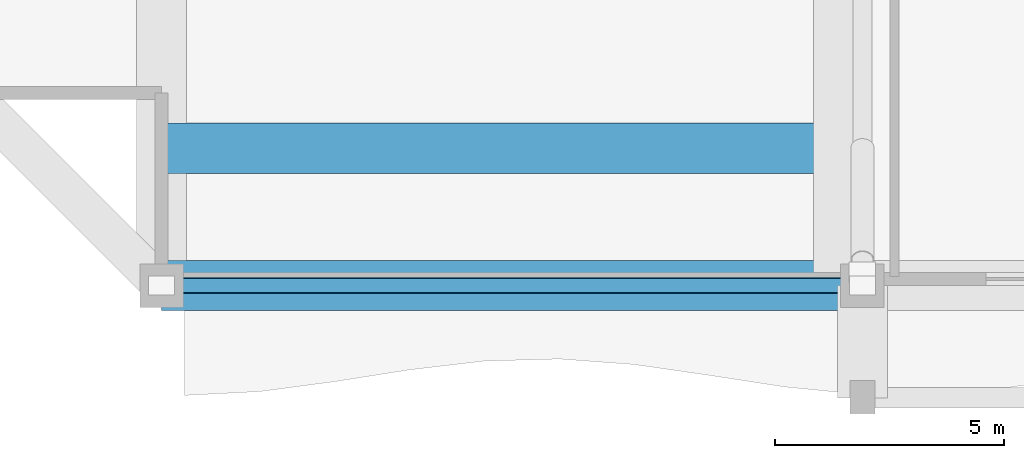
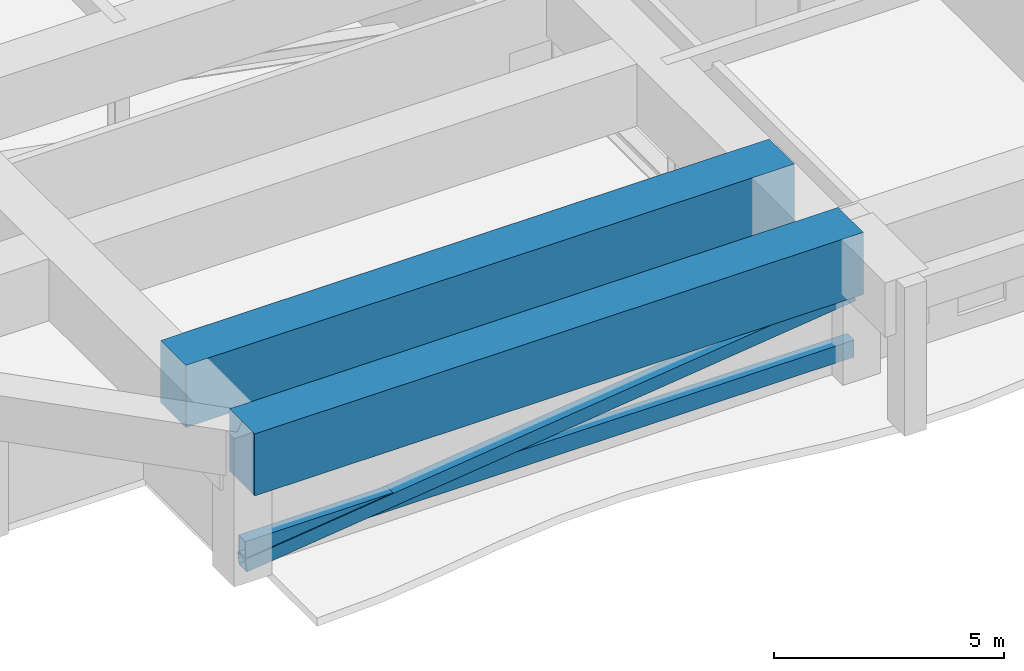
# One storey, part 3 of 35: 2 beams, 2 members.
"""IFC4 building model written with IfcOpenShell, lengths in metres."""

import ifcopenshell
import ifcopenshell.guid

model = None  # the IFC model being written
_history = None  # IfcOwnerHistory: only IFC2X3 demands one
_inside = {}  # id of a spatial element -> (the spatial element, [elements in it])
_under = {}  # id of a project, library or spatial element -> (it, [spatial elements below it])
_declared = {}  # id of a project -> (the project, [libraries it declares])
_typed = {}  # id of a type object -> (the type object, [elements of that type])
_made_of = {}  # id of a material, layer set ... -> (it, [elements and type objects made of it])


def new_model(schema):
    """Start an empty IFC model of exactly this schema.

    Asked for "IFC4X3", IfcOpenShell would pick the latest addendum, in which some entities
    have other attributes; the version numbers below select the first issue.
    IFC2X3 requires an IfcOwnerHistory on every rooted entity: one is made here for all.
    """
    global model, _history
    if schema == "IFC4X3":
        model = ifcopenshell.file(schema_version=(4, 3, 0, 0))
    else:
        model = ifcopenshell.file(schema=schema)
    _inside.clear()
    _under.clear()
    _declared.clear()
    _typed.clear()
    _made_of.clear()
    _history = None
    if model.schema == "IFC2X3":
        org = make("IfcOrganization", Name="unknown")
        user = make(
            "IfcPersonAndOrganization",
            ThePerson=make("IfcPerson", FamilyName="unknown"),
            TheOrganization=org,
        )
        app = make(
            "IfcApplication",
            ApplicationDeveloper=org,
            Version="unknown",
            ApplicationFullName="unknown",
            ApplicationIdentifier="unknown",
        )
        _history = make(
            "IfcOwnerHistory",
            OwningUser=user,
            OwningApplication=app,
            ChangeAction="ADDED",
            CreationDate=0,
        )
    return model


def make(cls, **values):
    """One entity of the class cls with the attributes given. An attribute that is None is left unset."""
    return model.create_entity(
        cls, **{name: value for name, value in values.items() if value is not None}
    )


def rooted(cls, **values):
    """An entity with a GlobalId (a new one), such as an element, a storey or a relation."""
    return make(cls, GlobalId=ifcopenshell.guid.new(), OwnerHistory=_history, **values)


def si_unit(unit_type, name, prefix=None):
    """IfcSIUnit, for example si_unit("LENGTHUNIT", "METRE", prefix="MILLI")."""
    return make("IfcSIUnit", UnitType=unit_type, Prefix=prefix, Name=name)


def assignment(units):
    """IfcUnitAssignment: the units of a project."""
    return None if units is None else make("IfcUnitAssignment", Units=units)


def point(xyz):
    """IfcCartesianPoint."""
    return None if xyz is None else make("IfcCartesianPoint", Coordinates=xyz)


def direction(xyz):
    """IfcDirection."""
    return None if xyz is None else make("IfcDirection", DirectionRatios=xyz)


def frame(location, z_axis=None, x_axis=None):
    """IfcAxis2Placement3D, a coordinate frame: its origin and axes. An axis left out is left unset."""
    return make(
        "IfcAxis2Placement3D",
        Location=point(location),
        Axis=direction(z_axis),
        RefDirection=direction(x_axis),
    )


def frame_2d(location, x_axis=None):
    """IfcAxis2Placement2D, a coordinate frame in the plane: its origin and x axis."""
    return make(
        "IfcAxis2Placement2D", Location=point(location), RefDirection=direction(x_axis)
    )


def origin():
    """The frame at (0, 0, 0) with its axes left unset."""
    return frame((0.0, 0.0, 0.0))


def origin_2d():
    """The frame at (0, 0) in the plane with its x axis left unset."""
    return frame_2d((0.0, 0.0))


def place(relative_to, where):
    """IfcLocalPlacement: puts the frame where relative to a parent placement (None: the world)."""
    return make(
        "IfcLocalPlacement", PlacementRelTo=relative_to, RelativePlacement=where
    )


def context(
    kind, dimensions, precision=None, world=None, true_north=None, identifier=None
):
    """IfcGeometricRepresentationContext, for example the 3D "Model" context."""
    return make(
        "IfcGeometricRepresentationContext",
        ContextIdentifier=identifier,
        ContextType=kind,
        CoordinateSpaceDimension=dimensions,
        Precision=precision,
        WorldCoordinateSystem=world,
        TrueNorth=true_north,
    )


def subcontext(parent, identifier, kind, view, scale=None):
    """IfcGeometricRepresentationSubContext, for example "Body" below "Model"."""
    return make(
        "IfcGeometricRepresentationSubContext",
        ContextIdentifier=identifier,
        ContextType=kind,
        ParentContext=parent,
        TargetScale=scale,
        TargetView=view,
    )


def project(units=None, contexts=None):
    """IfcProject with its units and contexts."""
    return rooted(
        "IfcProject",
        Name="project",
        RepresentationContexts=contexts,
        UnitsInContext=assignment(units),
    )


def spatial(cls, under=None, at=None, **own):
    """A site, building, storey or space (cls), placed at a placement, below another one or the project."""
    s = rooted(cls, ObjectPlacement=at, **own)
    if under is not None:
        _under.setdefault(under.id(), (under, []))[1].append(s)
    return s


def profile(cls, at=None, kind="AREA", **sizes):
    """A parametric profile (cls). Its sizes go by their IFC names, for example OverallWidth=200.0."""
    return make(cls, ProfileType=kind, Position=at, **sizes)


def rectangle(**sizes):
    """IfcRectangleProfileDef."""
    return profile("IfcRectangleProfileDef", **sizes)


def hollow_rectangle(**sizes):
    """IfcRectangleHollowProfileDef."""
    return profile("IfcRectangleHollowProfileDef", **sizes)


def extrude(swept, where, along, depth):
    """IfcExtrudedAreaSolid: the profile swept, set in the frame where, extruded along a direction by depth."""
    return make(
        "IfcExtrudedAreaSolid",
        SweptArea=swept,
        Position=where,
        ExtrudedDirection=direction(along),
        Depth=depth,
    )


def shape(context_of_items, identifier, shape_type, items):
    """IfcShapeRepresentation: the items that make up one representation, for example the "Body"."""
    return make(
        "IfcShapeRepresentation",
        ContextOfItems=context_of_items,
        RepresentationIdentifier=identifier,
        RepresentationType=shape_type,
        Items=items,
    )


def source(mapping_origin, context_of_items, identifier, shape_type, items):
    """IfcRepresentationMap: a shape defined once, which mapped items show again and again."""
    return make(
        "IfcRepresentationMap",
        MappingOrigin=mapping_origin,
        MappedRepresentation=shape(context_of_items, identifier, shape_type, items),
    )


def transform(
    local_origin,
    x_axis=None,
    y_axis=None,
    z_axis=None,
    scale=None,
    scale2=None,
    scale3=None,
    uniform=True,
):
    """IfcCartesianTransformationOperator3D, or its non-uniform kind. x_axis, y_axis, z_axis: its Axis1, 2, 3."""
    if uniform:
        return make(
            "IfcCartesianTransformationOperator3D",
            Axis1=direction(x_axis),
            Axis2=direction(y_axis),
            LocalOrigin=point(local_origin),
            Scale=scale,
            Axis3=direction(z_axis),
        )
    return make(
        "IfcCartesianTransformationOperator3DnonUniform",
        Axis1=direction(x_axis),
        Axis2=direction(y_axis),
        LocalOrigin=point(local_origin),
        Scale=scale,
        Axis3=direction(z_axis),
        Scale2=scale2,
        Scale3=scale3,
    )


def mapped(mapping_source, mapping_target):
    """IfcMappedItem: shows the shape of a source again, moved by a transform."""
    return make(
        "IfcMappedItem", MappingSource=mapping_source, MappingTarget=mapping_target
    )


def material(Name=None, Category=None):
    """IfcMaterial."""
    return make("IfcMaterial", Name=Name, Category=Category)


def material_profile(
    of_material, cross_section, Name=None, Category=None, Priority=None
):
    """IfcMaterialProfile: a cross section and its material."""
    return make(
        "IfcMaterialProfile",
        Name=Name,
        Material=of_material,
        Profile=cross_section,
        Priority=Priority,
        Category=Category,
    )


def profile_set(profiles, Name=None, composite=None):
    """IfcMaterialProfileSet."""
    return make(
        "IfcMaterialProfileSet",
        Name=Name,
        MaterialProfiles=profiles,
        CompositeProfile=composite,
    )


def made_of(thing, what):
    """Note that an element or type object is made of a material, layer set ...; save() writes the relation."""
    if what is not None:
        _made_of.setdefault(what.id(), (what, []))[1].append(thing)
    return thing


def type_object(cls, material=None, **own):
    """A type object (cls), such as IfcWallType, which elements share."""
    return made_of(rooted(cls, **own), material)


def element(
    cls,
    number,
    at=None,
    inside=None,
    cuts=None,
    type_object=None,
    material=None,
    context=None,
    identifier="Body",
    shape_type=None,
    held_by="IfcProductDefinitionShape",
    body=None,
    shapes=None,
    **own,
):
    """One element of the class cls, such as IfcWall. Its Tag is "e" and its number.

    at: its placement. inside: the storey or other place that contains it. cuts: it is an
    opening in that element (IfcRelVoidsElement). A single representation is given by context,
    identifier, shape_type and body (its items); several are given by shapes. held_by: the class
    of the entity that holds the representations. save() writes the other relations.
    """
    e = rooted(cls, Tag="e%d" % number, ObjectPlacement=at, **own)
    if body is not None:
        shapes = [shape(context, identifier, shape_type, body)]
    if shapes is not None:
        e.Representation = make(held_by, Representations=shapes)
    if inside is not None:
        _inside.setdefault(inside.id(), (inside, []))[1].append(e)
    if cuts is not None:
        rooted(
            "IfcRelVoidsElement", RelatingBuildingElement=cuts, RelatedOpeningElement=e
        )
    if type_object is not None:
        _typed.setdefault(type_object.id(), (type_object, []))[1].append(e)
    return made_of(e, material)


def aggregate(whole, parts):
    """IfcRelAggregates: a whole, such as a stair, and the parts it consists of."""
    return rooted("IfcRelAggregates", RelatingObject=whole, RelatedObjects=parts)


def save(model, path):
    """Write the relations noted so far, then the file.

    IfcRelAggregates (storeys below a building ...), IfcRelContainedInSpatialStructure (elements
    in a storey), IfcRelDefinesByType, IfcRelAssociatesMaterial and IfcRelDeclares: one each for
    every whole, place, type object, material and project.
    """
    for whole, parts in _under.values():
        aggregate(whole, parts)
    for where, things in _inside.values():
        rooted(
            "IfcRelContainedInSpatialStructure",
            RelatedElements=things,
            RelatingStructure=where,
        )
    for kind, things in _typed.values():
        rooted("IfcRelDefinesByType", RelatedObjects=things, RelatingType=kind)
    for what, things in _made_of.values():
        rooted("IfcRelAssociatesMaterial", RelatedObjects=things, RelatingMaterial=what)
    for by, libraries in _declared.values():
        rooted("IfcRelDeclares", RelatingContext=by, RelatedDefinitions=libraries)
    model.write(path)


model = new_model("IFC4")

# Units and contexts
model_context = context("Model", 3, precision=1e-05, world=origin(), true_north=direction((0.0, 1.0)))
body_context = subcontext(model_context, "Body", "Model", "MODEL_VIEW")
ifc_project = project(units=[si_unit("LENGTHUNIT", "METRE"), si_unit("AREAUNIT", "SQUARE_METRE"), si_unit("VOLUMEUNIT", "CUBIC_METRE"), si_unit("PLANEANGLEUNIT", "RADIAN"), si_unit("MASSUNIT", "GRAM", prefix="KILO")], contexts=[model_context])

# Site, building, storey
site_placement = place(None, origin())
site = spatial("IfcSite", under=ifc_project, at=site_placement, CompositionType="ELEMENT")
building_placement = place(site_placement, origin())
building = spatial("IfcBuilding", under=site, at=building_placement, Name="Saelheon Loggia Tower", CompositionType="ELEMENT")
storey_placement = place(building_placement, frame((0.0, 0.0, 144.75)))
storey = spatial("IfcBuildingStorey", under=building, at=storey_placement, Name="L46", CompositionType="ELEMENT", Elevation=144.75)

# Beams
ifc_material_1 = material(Name="Concrete C50/60", Category="concrete")
ifc_material_profile_1 = material_profile(ifc_material_1, rectangle(XDim=1.10009765625, YDim=1.64990234375, at=origin_2d()), Name="RC-1100x1650")
ifc_profile_set_1 = profile_set([ifc_material_profile_1], Name="Concrete C50/60")
beam_type_1 = type_object("IfcBeamType", Name="Beam_PerimMega_RC1100x1650", PredefinedType="BEAM", material=ifc_profile_set_1)
shared_shape_1 = source(origin(), body_context, "Body", "SweptSolid", [
    extrude(rectangle(XDim=1.10009765625, YDim=1.64990234375, at=origin_2d()), origin(), (0.0, 0.0, 1.0), 15.300048828125),
])
beam_1_placement = place(storey_placement, frame((16.199951171875, 3.0, 3.125), z_axis=(1.0, 0.0, 0.0), x_axis=(0.0, 1.0, 0.0)))
element("IfcBeam", 1, at=beam_1_placement, inside=storey, type_object=beam_type_1, Name="L46 Perimeter Frame Girder 01", PredefinedType="BEAM", context=body_context, shape_type="MappedRepresentation", body=[
    mapped(shared_shape_1, transform((0.0, 0.0, 0.0), scale=1.0)),
])
ifc_material_profile_2 = material_profile(ifc_material_1, rectangle(XDim=1.10009765625, YDim=1.64990234375, at=origin_2d()), Name="RC-1100x1650")
ifc_profile_set_2 = profile_set([ifc_material_profile_2], Name="Concrete C50/60")
beam_type_2 = type_object("IfcBeamType", Name="Beam_MegaTransfer_RC1100x1650", PredefinedType="BEAM", material=ifc_profile_set_2)
beam_2_placement = place(storey_placement, frame((16.199951171875, 6.0, 3.125), z_axis=(1.0, 0.0, 0.0), x_axis=(0.0, 1.0, 0.0)))
element("IfcBeam", 2, at=beam_2_placement, inside=storey, type_object=beam_type_2, Name="TG-L46-NYS-W", PredefinedType="BEAM", context=body_context, shape_type="MappedRepresentation", body=[
    mapped(shared_shape_1, transform((0.0, 0.0, 0.0), scale=1.0)),
])

# Members
ifc_material_2 = material(Name="Steel SM355", Category="steel")
ifc_material_profile_3 = material_profile(ifc_material_2, hollow_rectangle(XDim=0.300048828125, YDim=0.449951171875, WallThickness=0.02001953125, at=origin_2d()), Name="RHS-450x300x20")
ifc_profile_set_3 = profile_set([ifc_material_profile_3], Name="Steel SM355")
member_type_1 = type_object("IfcMemberType", Name="Belt_Chord_RHS450", PredefinedType="CHORD", material=ifc_profile_set_3)
shared_shape_2 = source(origin(), body_context, "Body", "SweptSolid", [
    extrude(hollow_rectangle(XDim=0.300048828125, YDim=0.449951171875, WallThickness=0.02001953125, at=origin_2d()), origin(), (0.0, 0.0, 1.0), 15.300048828125),
])
member_1_placement = place(storey_placement, frame((16.199951171875, 3.0, 0.6201171875), z_axis=(1.0, 0.0, 0.0), x_axis=(0.0, 1.0, 0.0)))
element("IfcMember", 3, at=member_1_placement, inside=storey, type_object=member_type_1, Name="L46 Belt Truss Chord BS1", PredefinedType="CHORD", context=body_context, shape_type="MappedRepresentation", body=[
    mapped(shared_shape_2, transform((0.0, 0.0, 0.0), scale=1.0)),
])
ifc_material_profile_4 = material_profile(ifc_material_2, hollow_rectangle(XDim=0.35009765625, YDim=0.35009765625, WallThickness=0.01611328125, at=origin_2d()), Name="RHS-350x350x16")
ifc_profile_set_4 = profile_set([ifc_material_profile_4], Name="Steel SM355")
member_type_2 = type_object("IfcMemberType", Name="Belt_Brace_RHS350", PredefinedType="BRACE", material=ifc_profile_set_4)
shared_shape_3 = source(origin(), body_context, "Body", "SweptSolid", [
    extrude(hollow_rectangle(XDim=0.35009765625, YDim=0.35009765625, WallThickness=0.01611328125, at=origin_2d()), origin(), (0.0, 0.0, 1.0), 15.41162109375),
])
member_2_placement = place(storey_placement, frame((16.199951171875, 3.0, 0.219970703125), z_axis=(0.992768262654, 0.0, 0.120046560411), x_axis=(0.0, 1.0, 0.0)))
element("IfcMember", 4, at=member_2_placement, inside=storey, type_object=member_type_2, Name="L46 Belt Truss Brace BS1", PredefinedType="BRACE", context=body_context, shape_type="MappedRepresentation", body=[
    mapped(shared_shape_3, transform((0.0, 0.0, 0.0), scale=1.0)),
])

save(model, "model.ifc")
